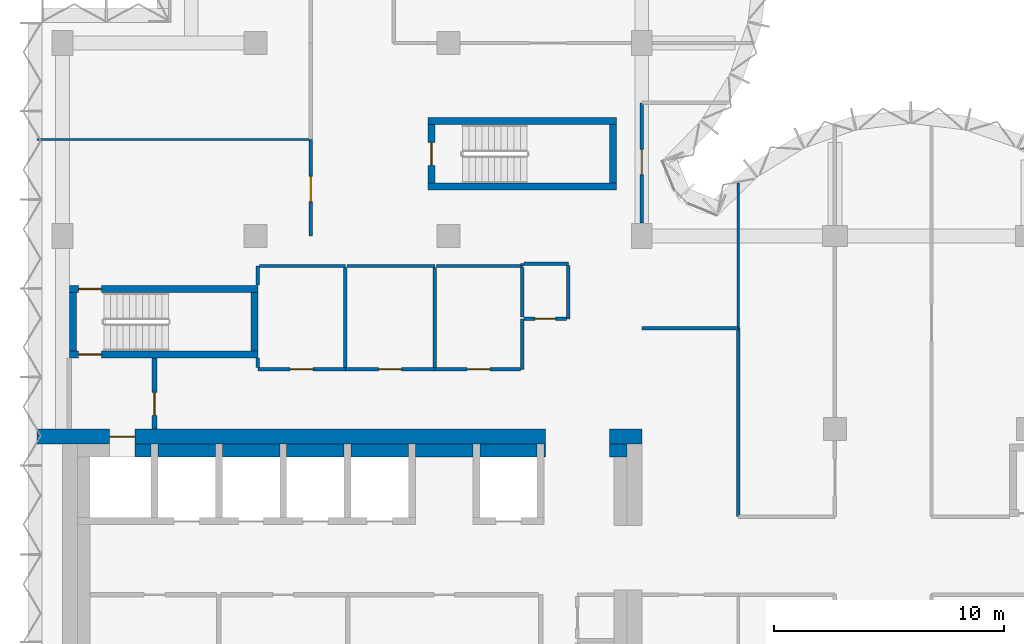
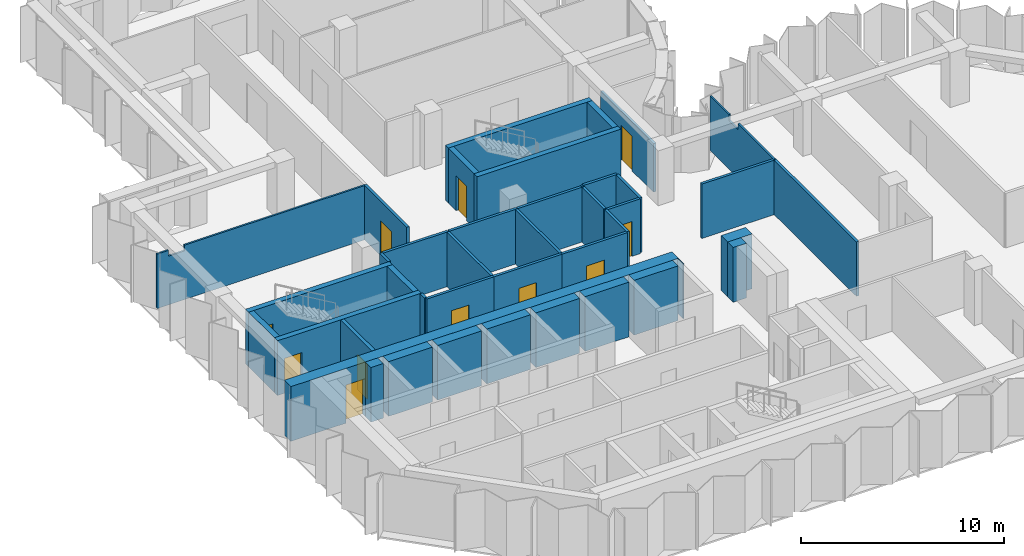
# One storey, part 6 of 10: 42 walls, 11 doors, 11 openings.
"""IFC4 building model written with IfcOpenShell, lengths in metres."""

import ifcopenshell
import ifcopenshell.guid

model = None  # the IFC model being written
_history = None  # IfcOwnerHistory: only IFC2X3 demands one
_inside = {}  # id of a spatial element -> (the spatial element, [elements in it])
_under = {}  # id of a project, library or spatial element -> (it, [spatial elements below it])
_declared = {}  # id of a project -> (the project, [libraries it declares])
_typed = {}  # id of a type object -> (the type object, [elements of that type])
_made_of = {}  # id of a material, layer set ... -> (it, [elements and type objects made of it])


def new_model(schema):
    """Start an empty IFC model of exactly this schema.

    Asked for "IFC4X3", IfcOpenShell would pick the latest addendum, in which some entities
    have other attributes; the version numbers below select the first issue.
    IFC2X3 requires an IfcOwnerHistory on every rooted entity: one is made here for all.
    """
    global model, _history
    if schema == "IFC4X3":
        model = ifcopenshell.file(schema_version=(4, 3, 0, 0))
    else:
        model = ifcopenshell.file(schema=schema)
    _inside.clear()
    _under.clear()
    _declared.clear()
    _typed.clear()
    _made_of.clear()
    _history = None
    if model.schema == "IFC2X3":
        org = make("IfcOrganization", Name="unknown")
        user = make(
            "IfcPersonAndOrganization",
            ThePerson=make("IfcPerson", FamilyName="unknown"),
            TheOrganization=org,
        )
        app = make(
            "IfcApplication",
            ApplicationDeveloper=org,
            Version="unknown",
            ApplicationFullName="unknown",
            ApplicationIdentifier="unknown",
        )
        _history = make(
            "IfcOwnerHistory",
            OwningUser=user,
            OwningApplication=app,
            ChangeAction="ADDED",
            CreationDate=0,
        )
    return model


def make(cls, **values):
    """One entity of the class cls with the attributes given. An attribute that is None is left unset."""
    return model.create_entity(
        cls, **{name: value for name, value in values.items() if value is not None}
    )


def rooted(cls, **values):
    """An entity with a GlobalId (a new one), such as an element, a storey or a relation."""
    return make(cls, GlobalId=ifcopenshell.guid.new(), OwnerHistory=_history, **values)


def si_unit(unit_type, name, prefix=None):
    """IfcSIUnit, for example si_unit("LENGTHUNIT", "METRE", prefix="MILLI")."""
    return make("IfcSIUnit", UnitType=unit_type, Prefix=prefix, Name=name)


def assignment(units):
    """IfcUnitAssignment: the units of a project."""
    return None if units is None else make("IfcUnitAssignment", Units=units)


def point(xyz):
    """IfcCartesianPoint."""
    return None if xyz is None else make("IfcCartesianPoint", Coordinates=xyz)


def direction(xyz):
    """IfcDirection."""
    return None if xyz is None else make("IfcDirection", DirectionRatios=xyz)


def frame(location, z_axis=None, x_axis=None):
    """IfcAxis2Placement3D, a coordinate frame: its origin and axes. An axis left out is left unset."""
    return make(
        "IfcAxis2Placement3D",
        Location=point(location),
        Axis=direction(z_axis),
        RefDirection=direction(x_axis),
    )


def frame_2d(location, x_axis=None):
    """IfcAxis2Placement2D, a coordinate frame in the plane: its origin and x axis."""
    return make(
        "IfcAxis2Placement2D", Location=point(location), RefDirection=direction(x_axis)
    )


def origin():
    """The frame at (0, 0, 0) with its axes left unset."""
    return frame((0.0, 0.0, 0.0))


def place(relative_to, where):
    """IfcLocalPlacement: puts the frame where relative to a parent placement (None: the world)."""
    return make(
        "IfcLocalPlacement", PlacementRelTo=relative_to, RelativePlacement=where
    )


def context(
    kind, dimensions, precision=None, world=None, true_north=None, identifier=None
):
    """IfcGeometricRepresentationContext, for example the 3D "Model" context."""
    return make(
        "IfcGeometricRepresentationContext",
        ContextIdentifier=identifier,
        ContextType=kind,
        CoordinateSpaceDimension=dimensions,
        Precision=precision,
        WorldCoordinateSystem=world,
        TrueNorth=true_north,
    )


def subcontext(parent, identifier, kind, view, scale=None):
    """IfcGeometricRepresentationSubContext, for example "Body" below "Model"."""
    return make(
        "IfcGeometricRepresentationSubContext",
        ContextIdentifier=identifier,
        ContextType=kind,
        ParentContext=parent,
        TargetScale=scale,
        TargetView=view,
    )


def project(units=None, contexts=None):
    """IfcProject with its units and contexts."""
    return rooted(
        "IfcProject",
        Name="project",
        RepresentationContexts=contexts,
        UnitsInContext=assignment(units),
    )


def spatial(cls, under=None, at=None, **own):
    """A site, building, storey or space (cls), placed at a placement, below another one or the project."""
    s = rooted(cls, ObjectPlacement=at, **own)
    if under is not None:
        _under.setdefault(under.id(), (under, []))[1].append(s)
    return s


def polyline(points):
    """IfcPolyline through the points."""
    return make("IfcPolyline", Points=[point(p) for p in points])


def profile(cls, at=None, kind="AREA", **sizes):
    """A parametric profile (cls). Its sizes go by their IFC names, for example OverallWidth=200.0."""
    return make(cls, ProfileType=kind, Position=at, **sizes)


def rectangle(**sizes):
    """IfcRectangleProfileDef."""
    return profile("IfcRectangleProfileDef", **sizes)


def outline(outer, holes=None, kind="AREA"):
    """IfcArbitraryClosedProfileDef: a profile drawn as a closed curve; with holes, ...WithVoids."""
    if holes is None:
        return make("IfcArbitraryClosedProfileDef", ProfileType=kind, OuterCurve=outer)
    return make(
        "IfcArbitraryProfileDefWithVoids",
        ProfileType=kind,
        OuterCurve=outer,
        InnerCurves=holes,
    )


def extrude(swept, where, along, depth):
    """IfcExtrudedAreaSolid: the profile swept, set in the frame where, extruded along a direction by depth."""
    return make(
        "IfcExtrudedAreaSolid",
        SweptArea=swept,
        Position=where,
        ExtrudedDirection=direction(along),
        Depth=depth,
    )


def shape(context_of_items, identifier, shape_type, items):
    """IfcShapeRepresentation: the items that make up one representation, for example the "Body"."""
    return make(
        "IfcShapeRepresentation",
        ContextOfItems=context_of_items,
        RepresentationIdentifier=identifier,
        RepresentationType=shape_type,
        Items=items,
    )


def material(Name=None, Category=None):
    """IfcMaterial."""
    return make("IfcMaterial", Name=Name, Category=Category)


def layer(
    of_material, thickness, ventilated=None, Name=None, Category=None, Priority=None
):
    """IfcMaterialLayer: one layer of a wall or slab, of a material (None: an air gap)."""
    return make(
        "IfcMaterialLayer",
        Material=of_material,
        LayerThickness=thickness,
        IsVentilated=ventilated,
        Name=Name,
        Category=Category,
        Priority=Priority,
    )


def layer_set(layers, Name=None):
    """IfcMaterialLayerSet."""
    return make("IfcMaterialLayerSet", MaterialLayers=layers, LayerSetName=Name)


def made_of(thing, what):
    """Note that an element or type object is made of a material, layer set ...; save() writes the relation."""
    if what is not None:
        _made_of.setdefault(what.id(), (what, []))[1].append(thing)
    return thing


def type_object(cls, material=None, **own):
    """A type object (cls), such as IfcWallType, which elements share."""
    return made_of(rooted(cls, **own), material)


def element(
    cls,
    number,
    at=None,
    inside=None,
    cuts=None,
    type_object=None,
    material=None,
    context=None,
    identifier="Body",
    shape_type=None,
    held_by="IfcProductDefinitionShape",
    body=None,
    shapes=None,
    **own,
):
    """One element of the class cls, such as IfcWall. Its Tag is "e" and its number.

    at: its placement. inside: the storey or other place that contains it. cuts: it is an
    opening in that element (IfcRelVoidsElement). A single representation is given by context,
    identifier, shape_type and body (its items); several are given by shapes. held_by: the class
    of the entity that holds the representations. save() writes the other relations.
    """
    e = rooted(cls, Tag="e%d" % number, ObjectPlacement=at, **own)
    if body is not None:
        shapes = [shape(context, identifier, shape_type, body)]
    if shapes is not None:
        e.Representation = make(held_by, Representations=shapes)
    if inside is not None:
        _inside.setdefault(inside.id(), (inside, []))[1].append(e)
    if cuts is not None:
        rooted(
            "IfcRelVoidsElement", RelatingBuildingElement=cuts, RelatedOpeningElement=e
        )
    if type_object is not None:
        _typed.setdefault(type_object.id(), (type_object, []))[1].append(e)
    return made_of(e, material)


def fill(opening, filler):
    """IfcRelFillsElement: the door or window that sits in an opening."""
    return rooted(
        "IfcRelFillsElement",
        RelatingOpeningElement=opening,
        RelatedBuildingElement=filler,
    )


def aggregate(whole, parts):
    """IfcRelAggregates: a whole, such as a stair, and the parts it consists of."""
    return rooted("IfcRelAggregates", RelatingObject=whole, RelatedObjects=parts)


def save(model, path):
    """Write the relations noted so far, then the file.

    IfcRelAggregates (storeys below a building ...), IfcRelContainedInSpatialStructure (elements
    in a storey), IfcRelDefinesByType, IfcRelAssociatesMaterial and IfcRelDeclares: one each for
    every whole, place, type object, material and project.
    """
    for whole, parts in _under.values():
        aggregate(whole, parts)
    for where, things in _inside.values():
        rooted(
            "IfcRelContainedInSpatialStructure",
            RelatedElements=things,
            RelatingStructure=where,
        )
    for kind, things in _typed.values():
        rooted("IfcRelDefinesByType", RelatedObjects=things, RelatingType=kind)
    for what, things in _made_of.values():
        rooted("IfcRelAssociatesMaterial", RelatedObjects=things, RelatingMaterial=what)
    for by, libraries in _declared.values():
        rooted("IfcRelDeclares", RelatingContext=by, RelatedDefinitions=libraries)
    model.write(path)


model = new_model("IFC4")

# Units and contexts
model_context = context("Model", 3, precision=1e-05, world=origin(), true_north=direction((0.0, 1.0)))
body_context = subcontext(model_context, "Body", "Model", "MODEL_VIEW")
ifc_project = project(units=[si_unit("LENGTHUNIT", "METRE"), si_unit("AREAUNIT", "SQUARE_METRE"), si_unit("VOLUMEUNIT", "CUBIC_METRE"), si_unit("PLANEANGLEUNIT", "RADIAN"), si_unit("MASSUNIT", "GRAM", prefix="KILO")], contexts=[model_context])

# Site, building, storey
site_placement = place(None, origin())
site = spatial("IfcSite", under=ifc_project, at=site_placement, CompositionType="ELEMENT")
building_placement = place(site_placement, origin())
building = spatial("IfcBuilding", under=site, at=building_placement, Name="Brevane Broadcast Tower", CompositionType="ELEMENT")
storey_placement = place(building_placement, frame((0.0, 0.0, 202.800048828125)))
storey = spatial("IfcBuildingStorey", under=building, at=storey_placement, Name="L51", CompositionType="ELEMENT", Elevation=202.800048828125)

# Walls
ifc_material_1 = material(Name="Concrete C32/40", Category="concrete")
ifc_layer_1 = layer(ifc_material_1, 0.550048828125)
ifc_layer_set_1 = layer_set([ifc_layer_1], Name="Core chase wall 550 mm")
wall_type_1 = type_object("IfcWallType", Name="Core chase wall 550 mm", PredefinedType="PARTITIONING", material=ifc_layer_set_1)
wall_1_placement = place(storey_placement, frame((23.800048828125, 15.875, 0.0), z_axis=(0.0, 0.0, 1.0), x_axis=(1.0, 0.0, 0.0)))
element("IfcWall", 1, at=wall_1_placement, inside=storey, type_object=wall_type_1, Name="L51 chase wall LN2", PredefinedType="PARTITIONING", context=body_context, shape_type="SweptSolid", body=[
    extrude(rectangle(XDim=0.75, YDim=0.550048828125, at=frame_2d((0.375, 0.0))), origin(), (0.0, 0.0, 1.0), 3.300048828125),
])
wall_2_placement = place(storey_placement, frame((3.14990234375, 15.875, 0.0), z_axis=(0.0, 0.0, 1.0), x_axis=(1.0, 0.0, 0.0)))
element("IfcWall", 2, at=wall_2_placement, inside=storey, type_object=wall_type_1, Name="L51 chase wall LN1-1", PredefinedType="PARTITIONING", context=body_context, shape_type="SweptSolid", body=[
    extrude(rectangle(XDim=0.7001953125, YDim=0.550048828125, at=frame_2d((0.35009765625, 0.0))), origin(), (0.0, 0.0, 1.0), 3.300048828125),
])
for number, where, z_axis, x_axis, name in (
    (3, (4.14990234375, 15.875, 0.0), (0.0, 0.0, 1.0), (1.0, 0.0, 0.0), "L51 chase wall LN1-2-1"),
    (4, (6.949951171875, 15.875, 0.0), (0.0, 0.0, 1.0), (1.0, 0.0, 0.0), "L51 chase wall LN1-2-2-1"),
    (5, (9.75, 15.875, 0.0), (0.0, 0.0, 1.0), (1.0, 0.0, 0.0), "L51 chase wall LN1-2-2-2-1"),
    (6, (12.550048828125, 15.875, 0.0), (0.0, 0.0, 1.0), (1.0, 0.0, 0.0), "L51 chase wall LN1-2-2-2-2-1"),
    (7, (15.35009765625, 15.875, 0.0), (0.0, 0.0, 1.0), (1.0, 0.0, 0.0), "L51 chase wall LN1-2-2-2-2-2-1"),
    (8, (18.14990234375, 15.875, 0.0), (0.0, 0.0, 1.0), (1.0, 0.0, 0.0), "L51 chase wall LN1-2-2-2-2-2-2-1"),
):
    element("IfcWall", number, at=place(storey_placement, frame(where, z_axis=z_axis, x_axis=x_axis)), inside=storey, type_object=wall_type_1, Name=name, PredefinedType="PARTITIONING", context=body_context, shape_type="SweptSolid", body=[
        extrude(rectangle(XDim=2.5, YDim=0.550048828125, at=frame_2d((1.25, 0.0))), origin(), (0.0, 0.0, 1.0), 3.300048828125),
    ])
wall_3_placement = place(storey_placement, frame((20.949951171875, 15.875, 0.0), z_axis=(0.0, 0.0, 1.0), x_axis=(1.0, 0.0, 0.0)))
element("IfcWall", 9, at=wall_3_placement, inside=storey, type_object=wall_type_1, Name="L51 chase wall LN1-2-2-2-2-2-2-2", PredefinedType="PARTITIONING", context=body_context, shape_type="SweptSolid", body=[
    extrude(rectangle(XDim=0.050048828125, YDim=0.550048828125, at=frame_2d((0.02490234375, 0.0))), origin(), (0.0, 0.0, 1.0), 3.300048828125),
])

# Wall, opening, door
ifc_material_2 = material(Name="Gypsum board on steel studs", Category="steel")
ifc_layer_2 = layer(ifc_material_2, 0.14990234375)
ifc_layer_set_2 = layer_set([ifc_layer_2], Name="Core fire partition 150 mm")
wall_type_2 = type_object("IfcWallType", Name="Core fire partition 150 mm", PredefinedType="PARTITIONING", material=ifc_layer_set_2)
wall_4_placement = place(storey_placement, frame((12.300048828125, 19.39990234375, 0.0), z_axis=(0.0, 0.0, 1.0), x_axis=(-1.0, 0.0, 0.0)))
wall_4 = element("IfcWall", 10, at=wall_4_placement, inside=storey, type_object=wall_type_2, Name="L51 partition wall P22", PredefinedType="PARTITIONING", context=body_context, shape_type="SweptSolid", body=[
    extrude(rectangle(XDim=3.800048828125, YDim=0.14990234375, at=frame_2d((1.89990234375, 0.0))), origin(), (0.0, 0.0, 1.0), 3.300048828125),
])
opening_1_placement = place(wall_4_placement, frame((1.39990234375, 0.0, 0.0)))
opening_1 = element("IfcOpeningElement", 11, at=opening_1_placement, cuts=wall_4, Name="Opening L51-K24", PredefinedType="OPENING", context=body_context, shape_type="SweptSolid", body=[
    extrude(rectangle(XDim=1.0, YDim=2.10009765625, at=frame_2d((0.5, 1.050048828125))), frame((0.0, 0.0849609375, 0.0), z_axis=(0.0, -1.0, 0.0), x_axis=(1.0, 0.0, 0.0)), (0.0, 0.0, 1.0), 0.169921875),
])
ifc_material_3 = material(Name="Steel", Category="steel")
door_type_1 = type_object("IfcDoorType", Name="Service room door 1000 x 2100", OperationType="SINGLE_SWING_LEFT", PredefinedType="DOOR", material=ifc_material_3)
door_1_placement = place(opening_1_placement, origin())
door_1 = element("IfcDoor", 12, at=door_1_placement, inside=storey, type_object=door_type_1, Name="Door L51-K24", OperationType="SINGLE_SWING_RIGHT", OverallHeight=2.10009765625, OverallWidth=1.0, PredefinedType="DOOR", context=body_context, shape_type="SweptSolid", body=[
    extrude(rectangle(XDim=1.0, YDim=2.10009765625, at=frame_2d((0.5, 1.050048828125))), frame((0.0, 0.02490234375, 0.0), z_axis=(0.0, -1.0, 0.0), x_axis=(1.0, 0.0, 0.0)), (0.0, 0.0, 1.0), 0.050048828125),
])
fill(opening_1, door_1)

# Walls
wall_5_placement = place(storey_placement, frame((8.5, 19.47509765625, 0.0), z_axis=(0.0, 0.0, 1.0), x_axis=(0.0, 1.0, 0.0)))
element("IfcWall", 13, at=wall_5_placement, inside=storey, type_object=wall_type_2, Name="L51 partition wall P23", PredefinedType="PARTITIONING", context=body_context, shape_type="SweptSolid", body=[
    extrude(rectangle(XDim=0.412841796875, YDim=0.14990234375, at=frame_2d((0.20654296875, 0.0))), origin(), (0.0, 0.0, 1.0), 3.300048828125),
])
wall_6_placement = place(storey_placement, frame((8.5, 23.06201171875, 0.0), z_axis=(0.0, 0.0, 1.0), x_axis=(0.0, 1.0, 0.0)))
element("IfcWall", 14, at=wall_6_placement, inside=storey, type_object=wall_type_2, Name="L51 partition wall P24", PredefinedType="PARTITIONING", context=body_context, shape_type="SweptSolid", body=[
    extrude(rectangle(XDim=0.837890625, YDim=0.14990234375, at=frame_2d((0.4189453125, 0.0))), origin(), (0.0, 0.0, 1.0), 3.300048828125),
])
wall_7_placement = place(storey_placement, frame((8.574951171875, 23.89990234375, 0.0), z_axis=(0.0, 0.0, 1.0), x_axis=(1.0, 0.0, 0.0)))
element("IfcWall", 15, at=wall_7_placement, inside=storey, type_object=wall_type_2, Name="L51 partition wall P25", PredefinedType="PARTITIONING", context=body_context, shape_type="SweptSolid", body=[
    extrude(rectangle(XDim=3.72509765625, YDim=0.14990234375, at=frame_2d((1.862548828125, 0.0))), origin(), (0.0, 0.0, 1.0), 3.300048828125),
])

# Wall, opening, door
wall_8_placement = place(storey_placement, frame((16.199951171875, 19.39990234375, 0.0), z_axis=(0.0, 0.0, 1.0), x_axis=(-1.0, 0.0, 0.0)))
wall_8 = element("IfcWall", 16, at=wall_8_placement, inside=storey, type_object=wall_type_2, Name="L51 partition wall P26", PredefinedType="PARTITIONING", context=body_context, shape_type="SweptSolid", body=[
    extrude(rectangle(XDim=3.89990234375, YDim=0.14990234375, at=frame_2d((1.949951171875, 0.0))), origin(), (0.0, 0.0, 1.0), 3.300048828125),
])
opening_2_placement = place(wall_8_placement, frame((1.449951171875, 0.0, 0.0)))
opening_2 = element("IfcOpeningElement", 17, at=opening_2_placement, cuts=wall_8, Name="Opening L51-K25", PredefinedType="OPENING", context=body_context, shape_type="SweptSolid", body=[
    extrude(rectangle(XDim=1.0, YDim=2.10009765625, at=frame_2d((0.5, 1.050048828125))), frame((0.0, 0.0849609375, 0.0), z_axis=(0.0, -1.0, 0.0), x_axis=(1.0, 0.0, 0.0)), (0.0, 0.0, 1.0), 0.169921875),
])
door_2_placement = place(opening_2_placement, origin())
door_2 = element("IfcDoor", 18, at=door_2_placement, inside=storey, type_object=door_type_1, Name="Door L51-K25", OperationType="SINGLE_SWING_LEFT", OverallHeight=2.10009765625, OverallWidth=1.0, PredefinedType="DOOR", context=body_context, shape_type="SweptSolid", body=[
    extrude(rectangle(XDim=1.0, YDim=2.10009765625, at=frame_2d((0.5, 1.050048828125))), frame((0.0, 0.02490234375, 0.0), z_axis=(0.0, -1.0, 0.0), x_axis=(1.0, 0.0, 0.0)), (0.0, 0.0, 1.0), 0.050048828125),
])
fill(opening_2, door_2)

# Walls
wall_9_placement = place(storey_placement, frame((12.300048828125, 23.824951171875, 0.0), z_axis=(0.0, 0.0, 1.0), x_axis=(0.0, -1.0, 0.0)))
element("IfcWall", 19, at=wall_9_placement, inside=storey, type_object=wall_type_2, Name="L51 partition wall P27", PredefinedType="PARTITIONING", context=body_context, shape_type="SweptSolid", body=[
    extrude(rectangle(XDim=4.349853515625, YDim=0.14990234375, at=frame_2d((2.1748046875, 0.0))), origin(), (0.0, 0.0, 1.0), 3.300048828125),
])
wall_10_placement = place(storey_placement, frame((12.375, 23.89990234375, 0.0), z_axis=(0.0, 0.0, 1.0), x_axis=(1.0, 0.0, 0.0)))
element("IfcWall", 20, at=wall_10_placement, inside=storey, type_object=wall_type_2, Name="L51 partition wall P28", PredefinedType="PARTITIONING", context=body_context, shape_type="SweptSolid", body=[
    extrude(rectangle(XDim=3.824951171875, YDim=0.14990234375, at=frame_2d((1.91259765625, 0.0))), origin(), (0.0, 0.0, 1.0), 3.300048828125),
])
wall_11_placement = place(storey_placement, frame((20.0, 21.60009765625, 0.0), z_axis=(0.0, 0.0, 1.0), x_axis=(0.0, -1.0, 0.0)))
element("IfcWall", 21, at=wall_11_placement, inside=storey, type_object=wall_type_2, Name="L51 partition wall P29", PredefinedType="PARTITIONING", context=body_context, shape_type="SweptSolid", body=[
    extrude(rectangle(XDim=2.2001953125, YDim=0.14990234375, at=frame_2d((1.10009765625, 0.0))), origin(), (0.0, 0.0, 1.0), 3.300048828125),
])

# Wall, opening, door
wall_12_placement = place(storey_placement, frame((19.925048828125, 19.39990234375, 0.0), z_axis=(0.0, 0.0, 1.0), x_axis=(-1.0, 0.0, 0.0)))
wall_12 = element("IfcWall", 22, at=wall_12_placement, inside=storey, type_object=wall_type_2, Name="L51 partition wall P30", PredefinedType="PARTITIONING", context=body_context, shape_type="SweptSolid", body=[
    extrude(rectangle(XDim=3.72509765625, YDim=0.14990234375, at=frame_2d((1.862548828125, 0.0))), origin(), (0.0, 0.0, 1.0), 3.300048828125),
])
opening_3_placement = place(wall_12_placement, frame((1.324951171875, 0.0, 0.0)))
opening_3 = element("IfcOpeningElement", 23, at=opening_3_placement, cuts=wall_12, Name="Opening L51-K26", PredefinedType="OPENING", context=body_context, shape_type="SweptSolid", body=[
    extrude(rectangle(XDim=1.0, YDim=2.10009765625, at=frame_2d((0.5, 1.050048828125))), frame((0.0, 0.0849609375, 0.0), z_axis=(0.0, -1.0, 0.0), x_axis=(1.0, 0.0, 0.0)), (0.0, 0.0, 1.0), 0.169921875),
])
door_3_placement = place(opening_3_placement, origin())
door_3 = element("IfcDoor", 24, at=door_3_placement, inside=storey, type_object=door_type_1, Name="Door L51-K26", OperationType="SINGLE_SWING_RIGHT", OverallHeight=2.10009765625, OverallWidth=1.0, PredefinedType="DOOR", context=body_context, shape_type="SweptSolid", body=[
    extrude(rectangle(XDim=1.0, YDim=2.10009765625, at=frame_2d((0.5, 1.050048828125))), frame((0.0, 0.02490234375, 0.0), z_axis=(0.0, -1.0, 0.0), x_axis=(1.0, 0.0, 0.0)), (0.0, 0.0, 1.0), 0.050048828125),
])
fill(opening_3, door_3)

# Walls
wall_13_placement = place(storey_placement, frame((16.199951171875, 23.824951171875, 0.0), z_axis=(0.0, 0.0, 1.0), x_axis=(0.0, -1.0, 0.0)))
element("IfcWall", 25, at=wall_13_placement, inside=storey, type_object=wall_type_2, Name="L51 partition wall P31", PredefinedType="PARTITIONING", context=body_context, shape_type="SweptSolid", body=[
    extrude(rectangle(XDim=4.349853515625, YDim=0.14990234375, at=frame_2d((2.1748046875, 0.0))), origin(), (0.0, 0.0, 1.0), 3.300048828125),
])
wall_14_placement = place(storey_placement, frame((16.27490234375, 23.89990234375, 0.0), z_axis=(0.0, 0.0, 1.0), x_axis=(1.0, 0.0, 0.0)))
element("IfcWall", 26, at=wall_14_placement, inside=storey, type_object=wall_type_2, Name="L51 partition wall P32", PredefinedType="PARTITIONING", context=body_context, shape_type="SweptSolid", body=[
    extrude(rectangle(XDim=3.72509765625, YDim=0.14990234375, at=frame_2d((1.862548828125, 0.0))), origin(), (0.0, 0.0, 1.0), 3.300048828125),
])
wall_15_placement = place(storey_placement, frame((20.0, 23.89990234375, 0.0), z_axis=(0.0, 0.0, 1.0), x_axis=(0.0, 1.0, 0.0)))
element("IfcWall", 27, at=wall_15_placement, inside=storey, type_object=wall_type_2, Name="L51 partition wall P33", PredefinedType="PARTITIONING", context=body_context, shape_type="SweptSolid", body=[
    extrude(rectangle(XDim=0.10009765625, YDim=0.14990234375, at=frame_2d((0.050048828125, 0.0))), origin(), (0.0, 0.0, 1.0), 3.300048828125),
])
wall_16_placement = place(storey_placement, frame((20.074951171875, 24.0, 0.0), z_axis=(0.0, 0.0, 1.0), x_axis=(1.0, 0.0, 0.0)))
element("IfcWall", 28, at=wall_16_placement, inside=storey, type_object=wall_type_2, Name="L51 partition wall P34", PredefinedType="PARTITIONING", context=body_context, shape_type="SweptSolid", body=[
    extrude(rectangle(XDim=1.925048828125, YDim=0.14990234375, at=frame_2d((0.96240234375, 0.0))), origin(), (0.0, 0.0, 1.0), 3.300048828125),
])
wall_17_placement = place(storey_placement, frame((22.0, 23.925048828125, 0.0), z_axis=(0.0, 0.0, 1.0), x_axis=(0.0, -1.0, 0.0)))
element("IfcWall", 29, at=wall_17_placement, inside=storey, type_object=wall_type_2, Name="L51 partition wall P35", PredefinedType="PARTITIONING", context=body_context, shape_type="SweptSolid", body=[
    extrude(rectangle(XDim=2.324951171875, YDim=0.14990234375, at=frame_2d((1.16259765625, 0.0))), origin(), (0.0, 0.0, 1.0), 3.300048828125),
])

# Wall, opening, door
wall_18_placement = place(storey_placement, frame((21.925048828125, 21.60009765625, 0.0), z_axis=(0.0, 0.0, 1.0), x_axis=(-1.0, 0.0, 0.0)))
wall_18 = element("IfcWall", 30, at=wall_18_placement, inside=storey, type_object=wall_type_2, Name="L51 partition wall P36", PredefinedType="PARTITIONING", context=body_context, shape_type="SweptSolid", body=[
    extrude(rectangle(XDim=1.85009765625, YDim=0.14990234375, at=frame_2d((0.925048828125, 0.0))), origin(), (0.0, 0.0, 1.0), 3.300048828125),
])
opening_4_placement = place(wall_18_placement, frame((0.47509765625, 0.0, 0.0)))
opening_4 = element("IfcOpeningElement", 31, at=opening_4_placement, cuts=wall_18, Name="Opening L51-K23", PredefinedType="OPENING", context=body_context, shape_type="SweptSolid", body=[
    extrude(rectangle(XDim=0.89990234375, YDim=2.10009765625, at=frame_2d((0.449951171875, 1.050048828125))), frame((0.0, 0.0849609375, 0.0), z_axis=(0.0, -1.0, 0.0), x_axis=(1.0, 0.0, 0.0)), (0.0, 0.0, 1.0), 0.169921875),
])
ifc_material_4 = material(Name="Timber", Category="wood")
door_type_2 = type_object("IfcDoorType", Name="Toilet door 900 x 2100", OperationType="SINGLE_SWING_LEFT", PredefinedType="DOOR", material=ifc_material_4)
door_4_placement = place(opening_4_placement, origin())
door_4 = element("IfcDoor", 32, at=door_4_placement, inside=storey, type_object=door_type_2, Name="Door L51-K23", OperationType="SINGLE_SWING_LEFT", OverallHeight=2.10009765625, OverallWidth=0.89990234375, PredefinedType="DOOR", context=body_context, shape_type="SweptSolid", body=[
    extrude(rectangle(XDim=0.89990234375, YDim=2.10009765625, at=frame_2d((0.449951171875, 1.050048828125))), frame((0.0, 0.02490234375, 0.0), z_axis=(0.0, -1.0, 0.0), x_axis=(1.0, 0.0, 0.0)), (0.0, 0.0, 1.0), 0.050048828125),
])
fill(opening_4, door_4)

# Wall
wall_19_placement = place(storey_placement, frame((20.0, 21.675048828125, 0.0), z_axis=(0.0, 0.0, 1.0), x_axis=(0.0, 1.0, 0.0)))
element("IfcWall", 33, at=wall_19_placement, inside=storey, type_object=wall_type_2, Name="L51 partition wall P37", PredefinedType="PARTITIONING", context=body_context, shape_type="SweptSolid", body=[
    extrude(rectangle(XDim=2.14990234375, YDim=0.14990234375, at=frame_2d((1.074951171875, 0.0))), origin(), (0.0, 0.0, 1.0), 3.300048828125),
])

# Wall, opening, door
ifc_layer_3 = layer(ifc_material_2, 0.199951171875)
ifc_layer_set_3 = layer_set([ifc_layer_3], Name="Core fire partition 200 mm")
wall_type_3 = type_object("IfcWallType", Name="Core fire partition 200 mm", PredefinedType="PARTITIONING", material=ifc_layer_set_3)
wall_20_placement = place(storey_placement, frame((4.0, 19.887939453125, 0.0), z_axis=(0.0, 0.0, 1.0), x_axis=(0.0, -1.0, 0.0)))
wall_20 = element("IfcWall", 34, at=wall_20_placement, inside=storey, type_object=wall_type_3, Name="L51 partition wall P02", PredefinedType="PARTITIONING", context=body_context, shape_type="SweptSolid", body=[
    extrude(rectangle(XDim=3.075927734375, YDim=0.199951171875, at=frame_2d((1.5380859375, 0.0))), origin(), (0.0, 0.0, 1.0), 3.300048828125),
])
opening_5_placement = place(wall_20_placement, frame((1.488037109375, 0.0, 0.0)))
opening_5 = element("IfcOpeningElement", 35, at=opening_5_placement, cuts=wall_20, Name="Opening L51-K22", PredefinedType="OPENING", context=body_context, shape_type="SweptSolid", body=[
    extrude(rectangle(XDim=1.0, YDim=2.10009765625, at=frame_2d((0.5, 1.050048828125))), frame((0.0, 0.10986328125, 0.0), z_axis=(0.0, -1.0, 0.0), x_axis=(1.0, 0.0, 0.0)), (0.0, 0.0, 1.0), 0.219970703125),
])
door_type_3 = type_object("IfcDoorType", Name="Stair door 1000 x 2100", OperationType="SINGLE_SWING_LEFT", PredefinedType="DOOR", material=ifc_material_3)
door_5_placement = place(opening_5_placement, origin())
door_5 = element("IfcDoor", 36, at=door_5_placement, inside=storey, type_object=door_type_3, Name="Door L51-K22", OperationType="SINGLE_SWING_RIGHT", OverallHeight=2.10009765625, OverallWidth=1.0, PredefinedType="DOOR", context=body_context, shape_type="SweptSolid", body=[
    extrude(rectangle(XDim=1.0, YDim=2.10009765625, at=frame_2d((0.5, 1.050048828125))), frame((0.0, 0.02490234375, 0.0), z_axis=(0.0, -1.0, 0.0), x_axis=(1.0, 0.0, 0.0)), (0.0, 0.0, 1.0), 0.050048828125),
])
fill(opening_5, door_5)

ifc_material_5 = material(Name="Concrete C60/75", Category="concrete")
ifc_layer_4 = layer(ifc_material_5, 0.300048828125)
ifc_layer_set_4 = layer_set([ifc_layer_4], Name="Core wall 300 mm C60/75")
wall_type_4 = type_object("IfcWallType", Name="Core wall 300 mm C60/75", PredefinedType="SHEAR", material=ifc_layer_set_4)
wall_21_placement = place(storey_placement, frame((8.5, 20.050048828125, 0.0), z_axis=(0.0, 0.0, 1.0), x_axis=(-1.0, 0.0, 0.0)))
wall_21 = element("IfcWall", 37, at=wall_21_placement, inside=storey, type_object=wall_type_4, Name="L51 stair wall ST-1-S", PredefinedType="SHEAR", context=body_context, shape_type="SweptSolid", body=[
    extrude(rectangle(XDim=8.199951171875, YDim=0.300048828125, at=frame_2d((4.10009765625, 0.0))), origin(), (0.0, 0.0, 1.0), 3.300048828125),
])
opening_6_placement = place(wall_21_placement, frame((6.800048828125, 0.0, 0.0)))
opening_6 = element("IfcOpeningElement", 38, at=opening_6_placement, cuts=wall_21, Name="Opening L51-K08", PredefinedType="OPENING", context=body_context, shape_type="SweptSolid", body=[
    extrude(rectangle(XDim=1.0, YDim=2.10009765625, at=frame_2d((0.5, 1.050048828125))), frame((0.0, 0.159912109375, 0.0), z_axis=(0.0, -1.0, 0.0), x_axis=(1.0, 0.0, 0.0)), (0.0, 0.0, 1.0), 0.320068359375),
])
door_6_placement = place(opening_6_placement, origin())
door_6 = element("IfcDoor", 39, at=door_6_placement, inside=storey, type_object=door_type_3, Name="Door L51-K08", OperationType="SINGLE_SWING_RIGHT", OverallHeight=2.10009765625, OverallWidth=1.0, PredefinedType="DOOR", context=body_context, shape_type="SweptSolid", body=[
    extrude(rectangle(XDim=1.0, YDim=2.10009765625, at=frame_2d((0.5, 1.050048828125))), frame((0.0, 0.02490234375, 0.0), z_axis=(0.0, -1.0, 0.0), x_axis=(1.0, 0.0, 0.0)), (0.0, 0.0, 1.0), 0.050048828125),
])
fill(opening_6, door_6)

wall_22_placement = place(storey_placement, frame((0.300048828125, 22.89990234375, 0.0), z_axis=(0.0, 0.0, 1.0), x_axis=(1.0, 0.0, 0.0)))
wall_22 = element("IfcWall", 40, at=wall_22_placement, inside=storey, type_object=wall_type_4, Name="L51 stair wall ST-1-N", PredefinedType="SHEAR", context=body_context, shape_type="SweptSolid", body=[
    extrude(rectangle(XDim=8.199951171875, YDim=0.300048828125, at=frame_2d((4.10009765625, 0.0))), origin(), (0.0, 0.0, 1.0), 3.300048828125),
])
opening_7_placement = place(wall_22_placement, frame((0.39990234375, 0.0, 0.0)))
opening_7 = element("IfcOpeningElement", 41, at=opening_7_placement, cuts=wall_22, Name="Opening L51-K09", PredefinedType="OPENING", context=body_context, shape_type="SweptSolid", body=[
    extrude(rectangle(XDim=1.0, YDim=2.10009765625, at=frame_2d((0.5, 1.050048828125))), frame((0.0, 0.159912109375, 0.0), z_axis=(0.0, -1.0, 0.0), x_axis=(1.0, 0.0, 0.0)), (0.0, 0.0, 1.0), 0.320068359375),
])
door_7_placement = place(opening_7_placement, origin())
door_7 = element("IfcDoor", 42, at=door_7_placement, inside=storey, type_object=door_type_3, Name="Door L51-K09", OperationType="SINGLE_SWING_LEFT", OverallHeight=2.10009765625, OverallWidth=1.0, PredefinedType="DOOR", context=body_context, shape_type="SweptSolid", body=[
    extrude(rectangle(XDim=1.0, YDim=2.10009765625, at=frame_2d((0.5, 1.050048828125))), frame((0.0, 0.02490234375, 0.0), z_axis=(0.0, -1.0, 0.0), x_axis=(1.0, 0.0, 0.0)), (0.0, 0.0, 1.0), 0.050048828125),
])
fill(opening_7, door_7)

# Walls
for number, where, z_axis, x_axis, name in (
    (43, (0.449951171875, 20.199951171875, 0.0), (0.0, 0.0, 1.0), (0.0, 1.0, 0.0), "L51 stair wall ST-1-W"),
    (44, (8.35009765625, 20.199951171875, 0.0), (0.0, 0.0, 1.0), (0.0, 1.0, 0.0), "L51 stair wall ST-1-E"),
):
    element("IfcWall", number, at=place(storey_placement, frame(where, z_axis=z_axis, x_axis=x_axis)), inside=storey, type_object=wall_type_4, Name=name, PredefinedType="SHEAR", context=body_context, shape_type="SweptSolid", body=[
        extrude(rectangle(XDim=2.550048828125, YDim=0.300048828125, at=frame_2d((1.27490234375, 0.0))), origin(), (0.0, 0.0, 1.0), 3.300048828125),
    ])
for number, where, z_axis, x_axis, name in (
    (45, (15.89990234375, 27.35009765625, 0.0), (0.0, 0.0, 1.0), (1.0, 0.0, 0.0), "L51 stair wall ST-3-S"),
    (46, (15.89990234375, 30.199951171875, 0.0), (0.0, 0.0, 1.0), (1.0, 0.0, 0.0), "L51 stair wall ST-3-N"),
):
    element("IfcWall", number, at=place(storey_placement, frame(where, z_axis=z_axis, x_axis=x_axis)), inside=storey, type_object=wall_type_4, Name=name, PredefinedType="SHEAR", context=body_context, shape_type="SweptSolid", body=[
        extrude(rectangle(XDim=8.2001953125, YDim=0.300048828125, at=frame_2d((4.10009765625, 0.0))), origin(), (0.0, 0.0, 1.0), 3.300048828125),
    ])

# Wall, opening, door
wall_23_placement = place(storey_placement, frame((16.050048828125, 27.5, 0.0), z_axis=(0.0, 0.0, 1.0), x_axis=(0.0, 1.0, 0.0)))
wall_23 = element("IfcWall", 47, at=wall_23_placement, inside=storey, type_object=wall_type_4, Name="L51 stair wall ST-3-W", PredefinedType="SHEAR", context=body_context, shape_type="SweptSolid", body=[
    extrude(rectangle(XDim=2.550048828125, YDim=0.300048828125, at=frame_2d((1.27490234375, 0.0))), origin(), (0.0, 0.0, 1.0), 3.300048828125),
])
opening_8_placement = place(wall_23_placement, frame((0.77490234375, 0.0, 0.0)))
opening_8 = element("IfcOpeningElement", 48, at=opening_8_placement, cuts=wall_23, Name="Opening L51-K12", PredefinedType="OPENING", context=body_context, shape_type="SweptSolid", body=[
    extrude(rectangle(XDim=1.0, YDim=2.10009765625, at=frame_2d((0.5, 1.050048828125))), frame((0.0, 0.159912109375, 0.0), z_axis=(0.0, -1.0, 0.0), x_axis=(1.0, 0.0, 0.0)), (0.0, 0.0, 1.0), 0.320068359375),
])
door_8_placement = place(opening_8_placement, origin())
door_8 = element("IfcDoor", 49, at=door_8_placement, inside=storey, type_object=door_type_3, Name="Door L51-K12", OperationType="SINGLE_SWING_RIGHT", OverallHeight=2.10009765625, OverallWidth=1.0, PredefinedType="DOOR", context=body_context, shape_type="SweptSolid", body=[
    extrude(rectangle(XDim=1.0, YDim=2.10009765625, at=frame_2d((0.5, 1.050048828125))), frame((0.0, 0.02490234375, 0.0), z_axis=(0.0, -1.0, 0.0), x_axis=(1.0, 0.0, 0.0)), (0.0, 0.0, 1.0), 0.050048828125),
])
fill(opening_8, door_8)

# Wall
wall_24_placement = place(storey_placement, frame((23.949951171875, 27.5, 0.0), z_axis=(0.0, 0.0, 1.0), x_axis=(0.0, 1.0, 0.0)))
element("IfcWall", 50, at=wall_24_placement, inside=storey, type_object=wall_type_4, Name="L51 stair wall ST-3-E", PredefinedType="SHEAR", context=body_context, shape_type="SweptSolid", body=[
    extrude(rectangle(XDim=2.550048828125, YDim=0.300048828125, at=frame_2d((1.27490234375, 0.0))), origin(), (0.0, 0.0, 1.0), 3.300048828125),
])

# Wall, opening, door
ifc_layer_5 = layer(ifc_material_5, 0.64990234375)
ifc_layer_set_5 = layer_set([ifc_layer_5], Name="Core wall 650 mm C60/75")
wall_type_5 = type_object("IfcWallType", Name="Core wall 650 mm C60/75", PredefinedType="SHEAR", material=ifc_layer_set_5)
wall_25_placement = place(storey_placement, frame((-1.10009765625, 16.47509765625, 0.0), z_axis=(0.0, 0.0, 1.0), x_axis=(1.0, 0.0, 0.0)))
wall_25 = element("IfcWall", 51, at=wall_25_placement, inside=storey, type_object=wall_type_5, Name="L51 outer wall WN1", PredefinedType="SHEAR", context=body_context, shape_type="SweptSolid", body=[
    extrude(rectangle(XDim=22.10009765625, YDim=0.64990234375, at=frame_2d((11.050048828125, 0.0))), origin(), (0.0, 0.0, 1.0), 3.300048828125),
])
opening_9_placement = place(wall_25_placement, frame((3.14990234375, 0.0, 0.0)))
opening_9 = element("IfcOpeningElement", 52, at=opening_9_placement, cuts=wall_25, Name="Opening LD", PredefinedType="OPENING", context=body_context, shape_type="SweptSolid", body=[
    extrude(rectangle(XDim=1.10009765625, YDim=2.300048828125, at=frame_2d((0.550048828125, 1.14990234375))), frame((0.0, 0.3349609375, 0.0), z_axis=(0.0, -1.0, 0.0), x_axis=(1.0, 0.0, 0.0)), (0.0, 0.0, 1.0), 0.669921875),
])
ifc_material_6 = material(Name="Stainless steel", Category="steel")
door_type_4 = type_object("IfcDoorType", Name="Lift landing door", OperationType="SLIDING_TO_LEFT", PredefinedType="DOOR", material=ifc_material_6)
door_9_placement = place(opening_9_placement, origin())
door_9 = element("IfcDoor", 53, at=door_9_placement, inside=storey, type_object=door_type_4, Name="Landing door FF1 L51", OperationType="SLIDING_TO_LEFT", OverallHeight=2.300048828125, OverallWidth=1.10009765625, PredefinedType="DOOR", context=body_context, shape_type="SweptSolid", body=[
    extrude(rectangle(XDim=1.10009765625, YDim=2.300048828125, at=frame_2d((0.550048828125, 1.14990234375))), frame((0.0, 0.02490234375, 0.0), z_axis=(0.0, -1.0, 0.0), x_axis=(1.0, 0.0, 0.0)), (0.0, 0.0, 1.0), 0.050048828125),
])
fill(opening_9, door_9)

# Walls
wall_26_placement = place(storey_placement, frame((23.800048828125, 16.47509765625, 0.0), z_axis=(0.0, 0.0, 1.0), x_axis=(1.0, 0.0, 0.0)))
element("IfcWall", 54, at=wall_26_placement, inside=storey, type_object=wall_type_5, Name="L51 outer wall WN2", PredefinedType="SHEAR", context=body_context, shape_type="SweptSolid", body=[
    extrude(rectangle(XDim=1.39990234375, YDim=0.64990234375, at=frame_2d((0.699951171875, 0.0))), origin(), (0.0, 0.0, 1.0), 3.300048828125),
])
ifc_material_7 = material(Name="Gypsum board partition")
ifc_layer_6 = layer(ifc_material_7, 0.10009765625)
ifc_layer_set_6 = layer_set([ifc_layer_6], Name="PARTITION 100 STUD")
wall_type_6 = type_object("IfcWallType", Name="PARTITION 100 STUD", PredefinedType="PARTITIONING", material=ifc_layer_set_6)
wall_27_placement = place(storey_placement, frame((29.39990234375, 27.510986328125, 0.0), z_axis=(0.0, 0.0, 1.0), x_axis=(0.0, -1.0, 0.0)))
element("IfcWall", 55, at=wall_27_placement, inside=storey, type_object=wall_type_6, Name="Partition G15-004", PredefinedType="PARTITIONING", context=body_context, shape_type="SweptSolid", body=[
    extrude(outline(polyline([(0.0, 0.0), (6.31103515625, 0.0), (6.31103515625, 3.280029296875), (2.760986328125, 3.280029296875), (2.759033203125, 2.929931640625), (1.863037109375, 2.929931640625), (1.861083984375, 3.280029296875), (0.236083984375, 3.280029296875), (0.0, 3.280029296875), (0.0, 0.0)])), frame((0.0, 0.050048828125, 0.0), z_axis=(0.0, -1.0, 0.0), x_axis=(1.0, 0.0, 0.0)), (0.0, 0.0, 1.0), 0.10009765625),
])
wall_28_placement = place(storey_placement, frame((-1.10009765625, 29.39990234375, 0.0), z_axis=(0.0, 0.0, 1.0), x_axis=(1.0, 0.0, 0.0)))
element("IfcWall", 56, at=wall_28_placement, inside=storey, type_object=wall_type_6, Name="Partition G15-040", PredefinedType="PARTITIONING", context=body_context, shape_type="SweptSolid", body=[
    extrude(outline(polyline([(0.0, 0.0), (11.900146484375, 0.0), (11.89990234375, 3.280029296875), (1.550048828125, 3.280029296875), (1.548095703125, 2.929931640625), (0.652099609375, 2.929931640625), (0.64990234375, 3.280029296875), (0.0, 3.280029296875), (0.0, 0.0)])), frame((0.0, 0.050048828125, 0.0), z_axis=(0.0, -1.0, 0.0), x_axis=(1.0, 0.0, 0.0)), (0.0, 0.0, 1.0), 0.10009765625),
])
ifc_layer_7 = layer(ifc_material_7, 0.14990234375)
ifc_layer_set_7 = layer_set([ifc_layer_7], Name="PARTITION 150 EI 60")
wall_type_7 = type_object("IfcWallType", Name="PARTITION 150 EI 60", PredefinedType="PARTITIONING", material=ifc_layer_set_7)
wall_29_placement = place(storey_placement, frame((25.199951171875, 21.199951171875, 0.0), z_axis=(0.0, 0.0, 1.0), x_axis=(1.0, 0.0, 0.0)))
element("IfcWall", 57, at=wall_29_placement, inside=storey, type_object=wall_type_7, Name="Partition G15-001", PredefinedType="PARTITIONING", context=body_context, shape_type="SweptSolid", body=[
    extrude(rectangle(XDim=4.199951171875, YDim=0.14990234375, at=frame_2d((2.10009765625, 0.0))), origin(), (0.0, 0.0, 1.0), 3.280029296875),
])
wall_30_placement = place(storey_placement, frame((29.39990234375, 21.199951171875, 0.0), z_axis=(0.0, 0.0, 1.0), x_axis=(0.0, -1.0, 0.0)))
element("IfcWall", 58, at=wall_30_placement, inside=storey, type_object=wall_type_7, Name="Partition G15-003", PredefinedType="PARTITIONING", context=body_context, shape_type="SweptSolid", body=[
    extrude(rectangle(XDim=8.199951171875, YDim=0.14990234375, at=frame_2d((4.10009765625, 0.0))), origin(), (0.0, 0.0, 1.0), 3.280029296875),
])

# Wall, opening, door
wall_31_placement = place(storey_placement, frame((25.199951171875, 31.0, 0.0), z_axis=(0.0, 0.0, 1.0), x_axis=(0.0, -1.0, 0.0)))
wall_31 = element("IfcWall", 59, at=wall_31_placement, inside=storey, type_object=wall_type_7, Name="Partition G15-005", PredefinedType="PARTITIONING", context=body_context, shape_type="SweptSolid", body=[
    extrude(outline(polyline([(0.0, 0.0), (5.22998046875, 0.0), (5.22998046875, 2.929931640625), (0.0, 2.929931640625), (0.0, 0.0)])), frame((0.0, 0.074951171875, 0.0), z_axis=(0.0, -1.0, 0.0), x_axis=(1.0, 0.0, 0.0)), (0.0, 0.0, 1.0), 0.14990234375),
])
opening_10_placement = place(wall_31_placement, frame((2.030029296875, 0.0, 0.0)))
opening_10 = element("IfcOpeningElement", 60, at=opening_10_placement, cuts=wall_31, Name="Opening D24-001", PredefinedType="OPENING", context=body_context, shape_type="SweptSolid", body=[
    extrude(rectangle(XDim=1.10009765625, YDim=2.10009765625, at=frame_2d((0.550048828125, 1.050048828125))), frame((0.0, 0.0849609375, 0.0), z_axis=(0.0, -1.0, 0.0), x_axis=(1.0, 0.0, 0.0)), (0.0, 0.0, 1.0), 0.169921875),
])
ifc_material_8 = material(Name="Fire-rated timber door leaf", Category="wood")
door_type_5 = type_object("IfcDoorType", Name="DOOR SINGLE 1100 FD30S", OperationType="SINGLE_SWING_LEFT", PredefinedType="DOOR", material=ifc_material_8)
door_10_placement = place(opening_10_placement, origin())
door_10 = element("IfcDoor", 61, at=door_10_placement, inside=storey, type_object=door_type_5, Name="Door D24-001", OperationType="SINGLE_SWING_RIGHT", OverallHeight=2.10009765625, OverallWidth=1.10009765625, PredefinedType="DOOR", context=body_context, shape_type="SweptSolid", body=[
    extrude(rectangle(XDim=1.10009765625, YDim=2.10009765625, at=frame_2d((0.550048828125, 1.050048828125))), frame((0.0, 0.02490234375, 0.0), z_axis=(0.0, -1.0, 0.0), x_axis=(1.0, 0.0, 0.0)), (0.0, 0.0, 1.0), 0.050048828125),
])
fill(opening_10, door_10)

wall_32_placement = place(storey_placement, frame((10.800048828125, 25.199951171875, 0.0), z_axis=(0.0, 0.0, 1.0), x_axis=(0.0, 1.0, 0.0)))
wall_32 = element("IfcWall", 62, at=wall_32_placement, inside=storey, type_object=wall_type_7, Name="Partition G15-027", PredefinedType="PARTITIONING", context=body_context, shape_type="SweptSolid", body=[
    extrude(rectangle(XDim=4.199951171875, YDim=0.14990234375, at=frame_2d((2.10009765625, 0.0))), origin(), (0.0, 0.0, 1.0), 3.280029296875),
])
opening_11_placement = place(wall_32_placement, frame((1.5, 0.0, 0.0)))
opening_11 = element("IfcOpeningElement", 63, at=opening_11_placement, cuts=wall_32, Name="Opening D24-010", PredefinedType="OPENING", context=body_context, shape_type="SweptSolid", body=[
    extrude(rectangle(XDim=1.10009765625, YDim=2.10009765625, at=frame_2d((0.550048828125, 1.050048828125))), frame((0.0, 0.0849609375, 0.0), z_axis=(0.0, -1.0, 0.0), x_axis=(1.0, 0.0, 0.0)), (0.0, 0.0, 1.0), 0.169921875),
])
door_11_placement = place(opening_11_placement, origin())
door_11 = element("IfcDoor", 64, at=door_11_placement, inside=storey, type_object=door_type_5, Name="Door D24-010", OperationType="SINGLE_SWING_LEFT", OverallHeight=2.10009765625, OverallWidth=1.10009765625, PredefinedType="DOOR", context=body_context, shape_type="SweptSolid", body=[
    extrude(rectangle(XDim=1.10009765625, YDim=2.10009765625, at=frame_2d((0.550048828125, 1.050048828125))), frame((0.0, 0.02490234375, 0.0), z_axis=(0.0, -1.0, 0.0), x_axis=(1.0, 0.0, 0.0)), (0.0, 0.0, 1.0), 0.050048828125),
])
fill(opening_11, door_11)

save(model, "model.ifc")
